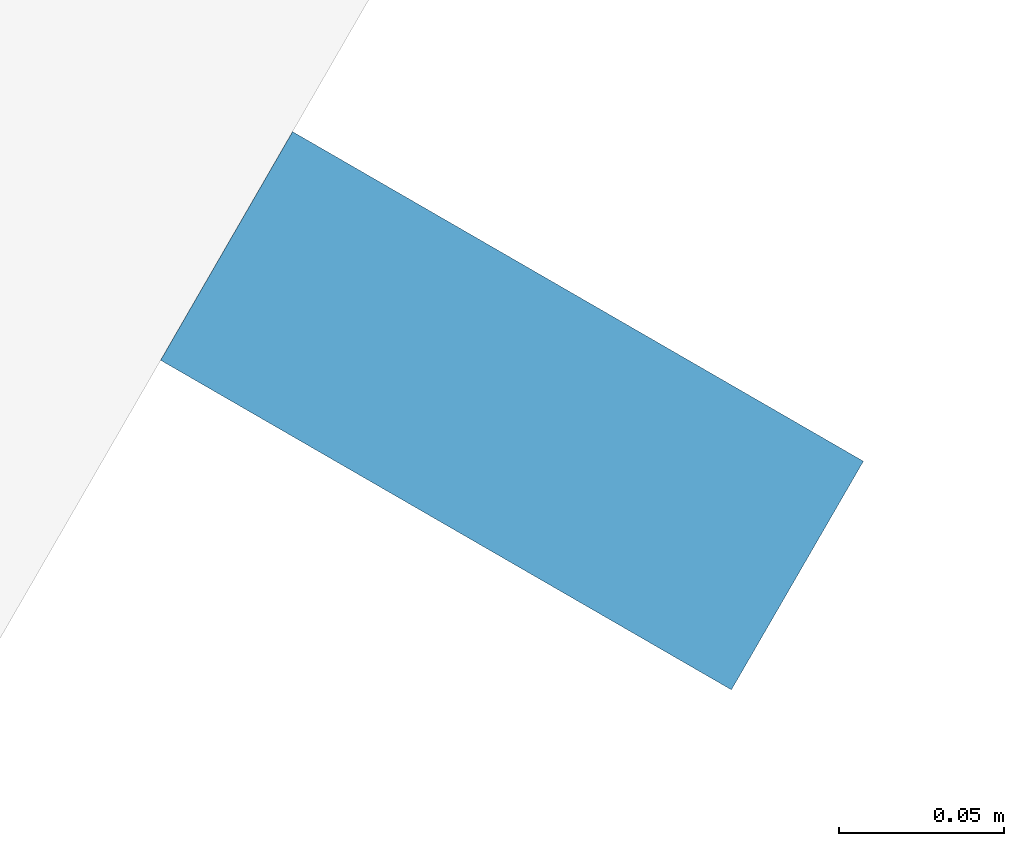
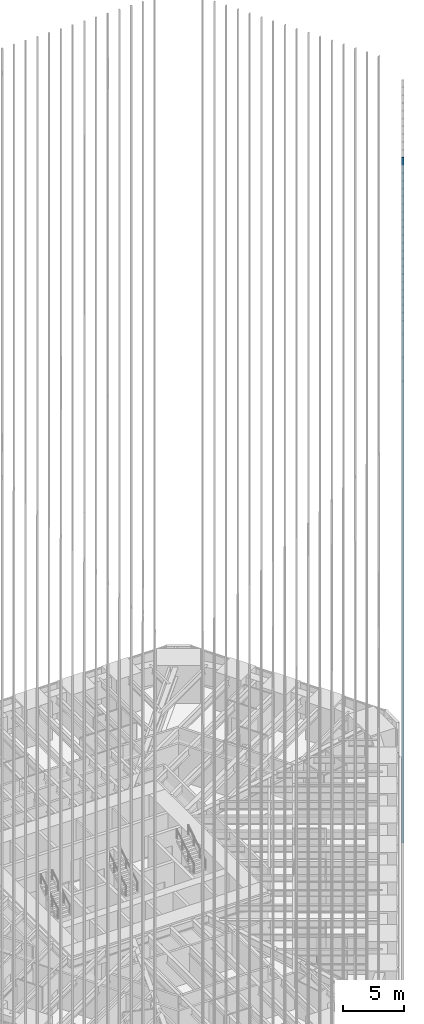
# One storey, part 119 of 256: 1 member, 1 element without a shape of its own.
"""IFC4 building model written with IfcOpenShell, lengths in metres."""

from ifc_helpers import new_model, si_unit, direction, frame, origin, origin_2d, place, context, subcontext, project, spatial, rectangle, extrude, material, material_profile, profile_set, type_object, element, aggregate, save


model = new_model("IFC4")

# Units and contexts
model_context = context("Model", 3, precision=1e-05, world=origin(), true_north=direction((0.0, 1.0)))
body_context = subcontext(model_context, "Body", "Model", "MODEL_VIEW")
ifc_project = project(units=[si_unit("LENGTHUNIT", "METRE"), si_unit("AREAUNIT", "SQUARE_METRE"), si_unit("VOLUMEUNIT", "CUBIC_METRE"), si_unit("PLANEANGLEUNIT", "RADIAN"), si_unit("MASSUNIT", "GRAM", prefix="KILO")], contexts=[model_context])

# Site, building, storey
site_placement = place(None, origin())
site = spatial("IfcSite", under=ifc_project, at=site_placement, CompositionType="ELEMENT")
building_placement = place(site_placement, origin())
building = spatial("IfcBuilding", under=site, at=building_placement, Name="Sandreach Pilgrim Tower", CompositionType="ELEMENT")
storey_placement = place(building_placement, frame((0.0, 0.0, 23.0)))
storey = spatial("IfcBuildingStorey", under=building, at=storey_placement, Name="L04", CompositionType="ELEMENT", Elevation=23.0)

# Curtain wall, member
ifc_material_1 = material(Name="Aluminium framed curtain wall", Category="aluminium")
curtain_wall_type = type_object("IfcCurtainWallType", Name="Hostel tower curtain wall", PredefinedType="NOTDEFINED", material=ifc_material_1)
curtain_wall_placement = place(storey_placement, origin())
curtain_wall = element("IfcCurtainWall", 1, at=curtain_wall_placement, inside=storey, type_object=curtain_wall_type, Name="CW-1 L04 SE", PredefinedType="NOTDEFINED")
ifc_material_2 = material(Name="Extruded terracotta on aluminium core", Category="masonry")
ifc_material_profile = material_profile(ifc_material_2, rectangle(XDim=0.080078125, YDim=0.199951171875, at=origin_2d()), Name="TBE 80X200")
ifc_profile_set = profile_set([ifc_material_profile], Name="Extruded terracotta on aluminium core")
member_type = type_object("IfcMemberType", Name="Terracotta baguette east", PredefinedType="USERDEFINED", material=ifc_profile_set)
member_placement = place(storey_placement, frame((24.95654296875, -5.47119140625, 0.0), z_axis=(0.0, 0.0, 1.0), x_axis=(-0.5, -0.866025403784, 0.0)))
member = element("IfcMember", 2, at=member_placement, type_object=member_type, Name="Baguette Z1 SE11", ObjectType="BAGUETTE", PredefinedType="USERDEFINED", context=body_context, shape_type="SweptSolid", body=[
    extrude(rectangle(XDim=0.080078125, YDim=0.199951171875, at=origin_2d()), origin(), (0.0, 0.0, 1.0), 68.239990234375),
])
aggregate(curtain_wall, [member])

save(model, "model.ifc")
